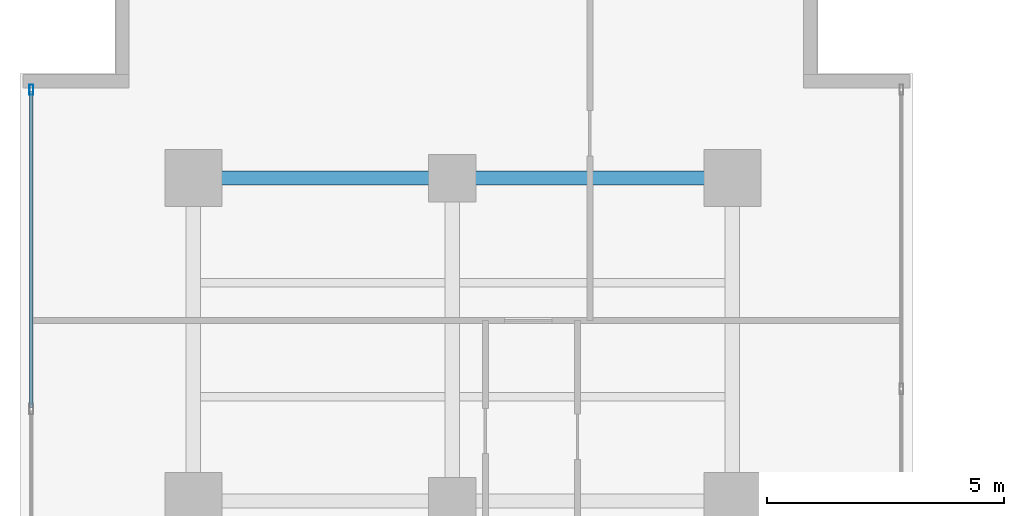
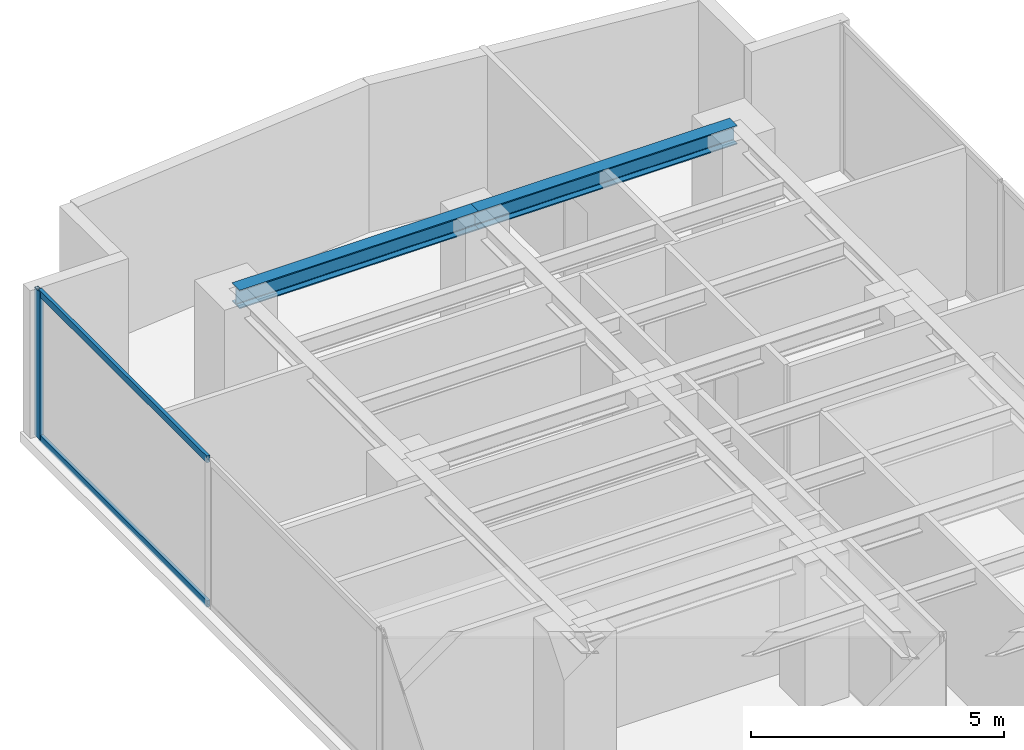
# One storey, part 16 of 24: 3 members, 2 beams, 1 element without a shape of its own.
"""IFC4 building model written with IfcOpenShell, lengths in metres."""

from ifc_helpers import new_model, si_unit, direction, frame, origin, origin_with_axes, origin_2d, place, context, subcontext, project, spatial, hollow_rectangle, i_section, extrude, source, transform, mapped, material, layer, layer_set, material_profile, profile_set, type_object, element, aggregate, save


model = new_model("IFC4")

# Units and contexts
model_context = context("Model", 3, precision=1e-05, world=origin(), true_north=direction((0.0, 1.0)))
body_context = subcontext(model_context, "Body", "Model", "MODEL_VIEW")
ifc_project = project(units=[si_unit("LENGTHUNIT", "METRE"), si_unit("AREAUNIT", "SQUARE_METRE"), si_unit("VOLUMEUNIT", "CUBIC_METRE"), si_unit("PLANEANGLEUNIT", "RADIAN"), si_unit("MASSUNIT", "GRAM", prefix="KILO")], contexts=[model_context])

# Site, building, storey
site_placement = place(None, origin())
site = spatial("IfcSite", under=ifc_project, at=site_placement, CompositionType="ELEMENT")
building_placement = place(site_placement, origin())
building = spatial("IfcBuilding", under=site, at=building_placement, Name="Kolvaren Waterfront Exchange", CompositionType="ELEMENT")
storey_placement = place(building_placement, frame((0.0, 0.0, 157.60009765625)))
storey = spatial("IfcBuildingStorey", under=building, at=storey_placement, Name="L40", CompositionType="ELEMENT", Elevation=157.60009765625)

# Beams
ifc_material_1 = material(Name="Steel S355", Category="steel")
ifc_material_profile_1 = material_profile(ifc_material_1, i_section(OverallWidth=0.300048828125, OverallDepth=0.449951171875, WebThickness=0.013916015625, FlangeThickness=0.02587890625, FilletRadius=0.027099609375, at=origin_2d()), Name="HEB450")
ifc_profile_set_1 = profile_set([ifc_material_profile_1], Name="Steel S355")
beam_type = type_object("IfcBeamType", Name="STR-BM-HEB450", PredefinedType="BEAM", material=ifc_profile_set_1)
beam_1_placement = place(storey_placement, frame((7.449951171875, 44.60009765625, 3.3349609375), z_axis=(1.0, 0.0, 0.0), x_axis=(0.0, 1.0, 0.0)))
element("IfcBeam", 1, at=beam_1_placement, inside=storey, type_object=beam_type, Name="L40 north-arm girder 4A", PredefinedType="BEAM", context=body_context, shape_type="SweptSolid", body=[
    extrude(i_section(OverallWidth=0.300048828125, OverallDepth=0.449951171875, WebThickness=0.013916015625, FlangeThickness=0.02587890625, FilletRadius=0.027099609375, at=origin_2d()), origin(), (0.0, 0.0, 1.0), 5.449951171875),
])
beam_2_placement = place(storey_placement, frame((12.89990234375, 44.60009765625, 3.3349609375), z_axis=(1.0, 0.0, 0.0), x_axis=(0.0, 1.0, 0.0)))
element("IfcBeam", 2, at=beam_2_placement, inside=storey, type_object=beam_type, Name="L40 north-arm girder 4B", PredefinedType="BEAM", context=body_context, shape_type="SweptSolid", body=[
    extrude(i_section(OverallWidth=0.300048828125, OverallDepth=0.449951171875, WebThickness=0.013916015625, FlangeThickness=0.02587890625, FilletRadius=0.027099609375, at=origin_2d()), origin(), (0.0, 0.0, 1.0), 5.900146484375),
])

# Curtain wall, members
ifc_material_2 = material(Name="Anodised aluminium 6063-T6", Category="aluminium")
ifc_layer = layer(ifc_material_2, 0.219970703125, Name="Anodised aluminium 6063-T6")
ifc_layer_set = layer_set([ifc_layer], Name="Anodised aluminium 6063-T6")
curtain_wall_type = type_object("IfcCurtainWallType", Name="ARC-CW-SYS2", PredefinedType="USERDEFINED", material=ifc_layer_set)
curtain_wall_placement = place(storey_placement, origin())
curtain_wall = element("IfcCurtainWall", 3, at=curtain_wall_placement, inside=storey, type_object=curtain_wall_type, Name="L40 stick curtain wall CW2 (CW-L40-W)", ObjectType="STICK CURTAIN WALL", PredefinedType="USERDEFINED")
ifc_material_profile_2 = material_profile(ifc_material_2, hollow_rectangle(XDim=0.074951171875, YDim=0.159912109375, WallThickness=0.00439453125, at=origin_2d()), Name="ALU-TRN-160x75x4.5")
ifc_profile_set_2 = profile_set([ifc_material_profile_2], Name="Anodised aluminium 6063-T6")
member_type_1 = type_object("IfcMemberType", Name="ARC-CWT-160", PredefinedType="USERDEFINED", material=ifc_profile_set_2)
shared_shape_1 = source(origin_with_axes(), body_context, "Body", "SweptSolid", [
    extrude(hollow_rectangle(XDim=0.074951171875, YDim=0.159912109375, WallThickness=0.00439453125, at=origin_2d()), origin(), (0.0, 0.0, 1.0), 6.646484375),
])
member_1_placement = place(storey_placement, frame((4.0400390625, 39.7734375, 0.037353515625), z_axis=(0.0, 1.0, 0.0), x_axis=(-1.0, 0.0, 0.0)))
member_1 = element("IfcMember", 4, at=member_1_placement, type_object=member_type_1, Name="CW2 transom 6.1", ObjectType="TRANSOM", PredefinedType="USERDEFINED", context=body_context, shape_type="MappedRepresentation", body=[
    mapped(shared_shape_1, transform((0.0, 0.0, 0.0), x_axis=(1.0, 0.0, 0.0), y_axis=(0.0, 1.0, 0.0), z_axis=(0.0, 0.0, 1.0), scale=1.0)),
])
member_2_placement = place(storey_placement, frame((4.0400390625, 39.7734375, 3.5224609375), z_axis=(0.0, 1.0, 0.0), x_axis=(-1.0, 0.0, 0.0)))
member_2 = element("IfcMember", 5, at=member_2_placement, type_object=member_type_1, Name="CW2 transom 6.2", ObjectType="TRANSOM", PredefinedType="USERDEFINED", context=body_context, shape_type="MappedRepresentation", body=[
    mapped(shared_shape_1, transform((0.0, 0.0, 0.0), x_axis=(1.0, 0.0, 0.0), y_axis=(0.0, 1.0, 0.0), z_axis=(0.0, 0.0, 1.0), scale=1.0)),
])
ifc_material_profile_3 = material_profile(ifc_material_2, hollow_rectangle(XDim=0.080078125, YDim=0.219970703125, WallThickness=0.0048828125, at=origin_2d()), Name="ALU-MUL-220x80x5")
ifc_profile_set_3 = profile_set([ifc_material_profile_3], Name="Anodised aluminium 6063-T6")
member_type_2 = type_object("IfcMemberType", Name="ARC-CWM-220", PredefinedType="MULLION", material=ifc_profile_set_3)
shared_shape_2 = source(origin_with_axes(), body_context, "Body", "SweptSolid", [
    extrude(hollow_rectangle(XDim=0.080078125, YDim=0.219970703125, WallThickness=0.0048828125, at=origin_2d()), origin(), (0.0, 0.0, 1.0), 3.559814453125),
])
member_3_placement = place(storey_placement, frame((4.0400390625, 46.4599609375, 0.0), z_axis=(0.0, 0.0, 1.0), x_axis=(-1.0, 0.0, 0.0)))
member_3 = element("IfcMember", 6, at=member_3_placement, type_object=member_type_2, Name="CW2 mullion 7", PredefinedType="MULLION", context=body_context, shape_type="MappedRepresentation", body=[
    mapped(shared_shape_2, transform((0.0, 0.0, 0.0), x_axis=(1.0, 0.0, 0.0), y_axis=(0.0, 1.0, 0.0), z_axis=(0.0, 0.0, 1.0), scale=1.0)),
])
aggregate(curtain_wall, [member_3, member_1, member_2])

save(model, "model.ifc")
